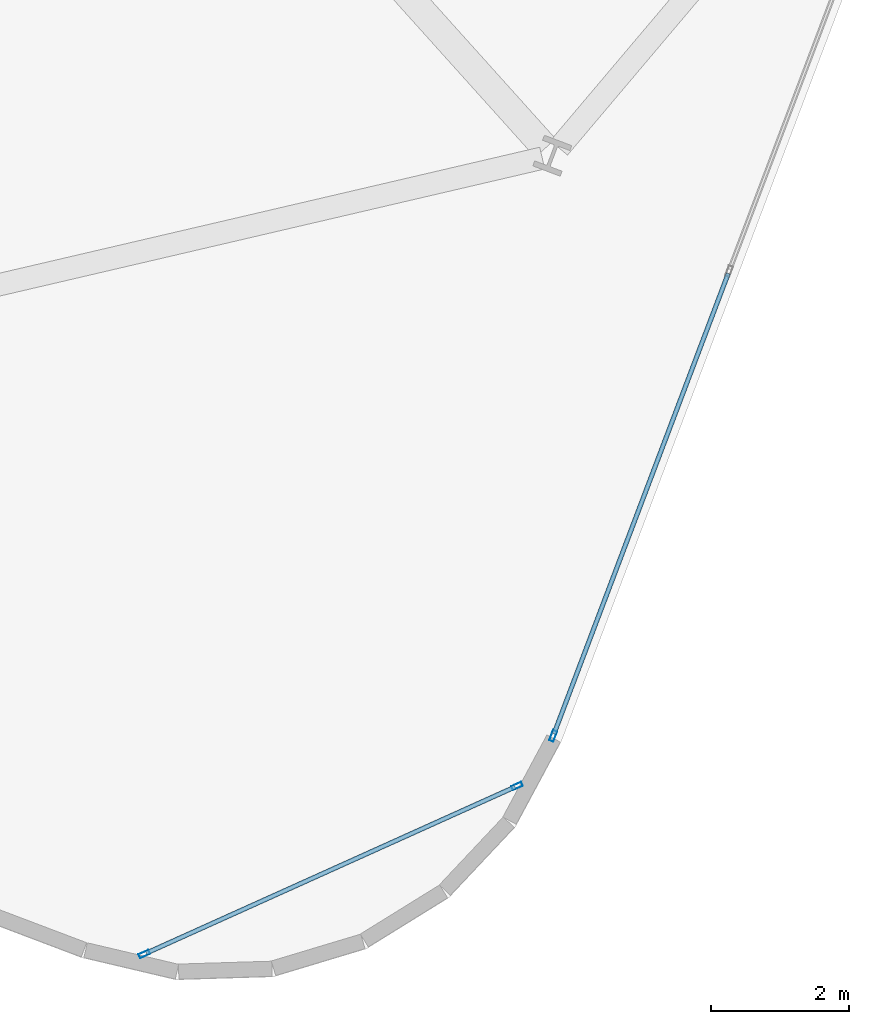
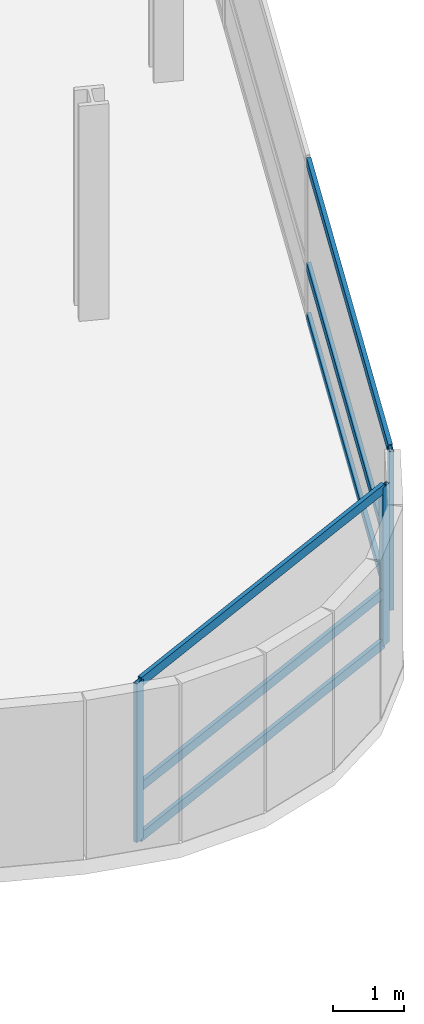
# One storey, part 10 of 25: 9 members, 2 elements without a shape of their own.
"""IFC4 building model written with IfcOpenShell, lengths in metres."""

from ifc_helpers import new_model, si_unit, direction, frame, origin, origin_2d, place, context, subcontext, project, spatial, hollow_rectangle, extrude, material, layer, layer_set, material_profile, profile_set, type_object, element, aggregate, save


model = new_model("IFC4")

# Units and contexts
model_context = context("Model", 3, precision=1e-05, world=origin(), true_north=direction((0.0, 1.0)))
body_context = subcontext(model_context, "Body", "Model", "MODEL_VIEW")
ifc_project = project(units=[si_unit("LENGTHUNIT", "METRE"), si_unit("AREAUNIT", "SQUARE_METRE"), si_unit("VOLUMEUNIT", "CUBIC_METRE"), si_unit("PLANEANGLEUNIT", "RADIAN"), si_unit("MASSUNIT", "GRAM", prefix="KILO")], contexts=[model_context])

# Site, building, storey
site_placement = place(None, origin())
site = spatial("IfcSite", under=ifc_project, at=site_placement, CompositionType="ELEMENT")
building_placement = place(site_placement, origin())
building = spatial("IfcBuilding", under=site, at=building_placement, Name="Varnelok Gate Tower", CompositionType="ELEMENT")
storey_placement = place(building_placement, frame((0.0, 0.0, 105.800048828125)))
storey = spatial("IfcBuildingStorey", under=building, at=storey_placement, Name="L26", CompositionType="ELEMENT", Elevation=105.800048828125)

# Curtain wall, member
ifc_material = material(Name="Anodized Aluminum Alloy 6063-T6", Category="aluminium")
ifc_layer_1 = layer(ifc_material, 0.179931640625)
ifc_layer_set_1 = layer_set([ifc_layer_1], Name="Anodized Aluminum Alloy 6063-T6")
curtain_wall_type_1 = type_object("IfcCurtainWallType", Name="CW3-HOTEL-VISION", PredefinedType="USERDEFINED", material=ifc_layer_set_1)
curtain_wall_1_placement = place(storey_placement, origin())
curtain_wall_1 = element("IfcCurtainWall", 1, at=curtain_wall_1_placement, inside=storey, type_object=curtain_wall_type_1, Name="L26 East End Vision Curtain Wall", ObjectType="UNITISED CURTAIN WALL", PredefinedType="USERDEFINED")
ifc_material_profile_1 = material_profile(ifc_material, hollow_rectangle(XDim=0.06494140625, YDim=0.159912109375, WallThickness=0.00390625, at=origin_2d()), Name="ALU160X65X4")
ifc_profile_set_1 = profile_set([ifc_material_profile_1], Name="Anodized Aluminum Alloy 6063-T6")
member_type_1 = type_object("IfcMemberType", Name="CW-MULL-160", PredefinedType="MULLION", material=ifc_profile_set_1)
member_1_placement = place(storey_placement, frame((67.6494140625, -4.78955078125, 0.0), z_axis=(0.0, 0.0, 1.0), x_axis=(0.935221323688, -0.354063660545, 0.0)))
member_1 = element("IfcMember", 2, at=member_1_placement, type_object=member_type_1, Name="CW3 mullion 6", PredefinedType="MULLION", context=body_context, shape_type="SweptSolid", body=[
    extrude(hollow_rectangle(XDim=0.06494140625, YDim=0.159912109375, WallThickness=0.00390625, at=origin_2d()), origin(), (0.0, 0.0, 1.0), 2.72998046875),
])

# Curtain wall, members
ifc_layer_2 = layer(ifc_material, 0.179931640625)
ifc_layer_set_2 = layer_set([ifc_layer_2], Name="Anodized Aluminum Alloy 6063-T6")
curtain_wall_type_2 = type_object("IfcCurtainWallType", Name="CW5-WINDCORNER-GLAZ", PredefinedType="USERDEFINED", material=ifc_layer_set_2)
curtain_wall_2_placement = place(storey_placement, origin())
curtain_wall_2 = element("IfcCurtainWall", 3, at=curtain_wall_2_placement, inside=storey, type_object=curtain_wall_type_2, Name="L26 Wind-Shaped Corner Curtain Wall SE", ObjectType="STRUCTURAL GLAZING", PredefinedType="USERDEFINED")
member_2_placement = place(storey_placement, frame((61.7177734375, -7.953857421875, 0.0), z_axis=(0.0, 0.0, 1.0), x_axis=(-0.41094361693, 0.911660761306, 0.0)))
member_2 = element("IfcMember", 4, at=member_2_placement, type_object=member_type_1, Name="CW5 mullion 1", PredefinedType="MULLION", context=body_context, shape_type="SweptSolid", body=[
    extrude(hollow_rectangle(XDim=0.06494140625, YDim=0.159912109375, WallThickness=0.00390625, at=origin_2d()), origin(), (0.0, 0.0, 1.0), 2.72998046875),
])
member_3_placement = place(storey_placement, frame((67.125, -5.516357421875, 0.0), z_axis=(0.0, 0.0, 1.0), x_axis=(-0.41094361693, 0.911660761306, 0.0)))
member_3 = element("IfcMember", 5, at=member_3_placement, type_object=member_type_1, Name="CW5 mullion 2", PredefinedType="MULLION", context=body_context, shape_type="SweptSolid", body=[
    extrude(hollow_rectangle(XDim=0.06494140625, YDim=0.159912109375, WallThickness=0.00390625, at=origin_2d()), origin(), (0.0, 0.0, 1.0), 2.72998046875),
])

# Member
ifc_material_profile_2 = material_profile(ifc_material, hollow_rectangle(XDim=0.06494140625, YDim=0.159912109375, WallThickness=0.00390625, at=origin_2d()), Name="ALU160X65X4")
ifc_profile_set_2 = profile_set([ifc_material_profile_2], Name="Anodized Aluminum Alloy 6063-T6")
member_type_2 = type_object("IfcMemberType", Name="CW-TRAN-160", PredefinedType="USERDEFINED", material=ifc_profile_set_2)
member_4_placement = place(storey_placement, frame((70.189697265625, 1.920654296875, 0.032470703125), z_axis=(-0.354058568643, -0.935223251406, 0.0), x_axis=(0.935223251406, -0.354058568643, 0.0)))
member_4 = element("IfcMember", 6, at=member_4_placement, type_object=member_type_2, Name="CW3 transom 5.1", ObjectType="TRANSOM", PredefinedType="USERDEFINED", context=body_context, shape_type="SweptSolid", body=[
    extrude(hollow_rectangle(XDim=0.06494140625, YDim=0.159912109375, WallThickness=0.00390625, at=origin_2d()), origin(), (0.0, 0.0, 1.0), 7.142333984375),
])

member_5_placement = place(storey_placement, frame((70.189697265625, 1.920654296875, 0.89990234375), z_axis=(-0.354058568643, -0.935223251406, 0.0), x_axis=(0.935223251406, -0.354058568643, 0.0)))
member_5 = element("IfcMember", 7, at=member_5_placement, type_object=member_type_2, Name="CW3 transom 5.2", ObjectType="TRANSOM", PredefinedType="USERDEFINED", context=body_context, shape_type="SweptSolid", body=[
    extrude(hollow_rectangle(XDim=0.06494140625, YDim=0.159912109375, WallThickness=0.00390625, at=origin_2d()), origin(), (0.0, 0.0, 1.0), 7.142333984375),
])

member_6_placement = place(storey_placement, frame((70.189697265625, 1.920654296875, 2.697509765625), z_axis=(-0.354058568643, -0.935223251406, 0.0), x_axis=(0.935223251406, -0.354058568643, 0.0)))
member_6 = element("IfcMember", 8, at=member_6_placement, type_object=member_type_2, Name="CW3 transom 5.3", ObjectType="TRANSOM", PredefinedType="USERDEFINED", context=body_context, shape_type="SweptSolid", body=[
    extrude(hollow_rectangle(XDim=0.06494140625, YDim=0.159912109375, WallThickness=0.00390625, at=origin_2d()), origin(), (0.0, 0.0, 1.0), 7.142333984375),
])

aggregate(curtain_wall_1, [member_1, member_4, member_5, member_6])

member_7_placement = place(storey_placement, frame((61.747314453125, -7.9404296875, 0.032470703125), z_axis=(0.911667474116, 0.410928724524, 0.0), x_axis=(-0.410928724524, 0.911667474116, 0.0)))
member_7 = element("IfcMember", 9, at=member_7_placement, type_object=member_type_2, Name="CW5 transom 1.1", ObjectType="TRANSOM", PredefinedType="USERDEFINED", context=body_context, shape_type="SweptSolid", body=[
    extrude(hollow_rectangle(XDim=0.06494140625, YDim=0.159912109375, WallThickness=0.00390625, at=origin_2d()), origin(), (0.0, 0.0, 1.0), 5.8662109375),
])

member_8_placement = place(storey_placement, frame((61.747314453125, -7.9404296875, 0.89990234375), z_axis=(0.911667474116, 0.410928724524, 0.0), x_axis=(-0.410928724524, 0.911667474116, 0.0)))
member_8 = element("IfcMember", 10, at=member_8_placement, type_object=member_type_2, Name="CW5 transom 1.2", ObjectType="TRANSOM", PredefinedType="USERDEFINED", context=body_context, shape_type="SweptSolid", body=[
    extrude(hollow_rectangle(XDim=0.06494140625, YDim=0.159912109375, WallThickness=0.00390625, at=origin_2d()), origin(), (0.0, 0.0, 1.0), 5.8662109375),
])

member_9_placement = place(storey_placement, frame((61.747314453125, -7.9404296875, 2.697509765625), z_axis=(0.911667474116, 0.410928724524, 0.0), x_axis=(-0.410928724524, 0.911667474116, 0.0)))
member_9 = element("IfcMember", 11, at=member_9_placement, type_object=member_type_2, Name="CW5 transom 1.3", ObjectType="TRANSOM", PredefinedType="USERDEFINED", context=body_context, shape_type="SweptSolid", body=[
    extrude(hollow_rectangle(XDim=0.06494140625, YDim=0.159912109375, WallThickness=0.00390625, at=origin_2d()), origin(), (0.0, 0.0, 1.0), 5.8662109375),
])

aggregate(curtain_wall_2, [member_2, member_3, member_7, member_8, member_9])

save(model, "model.ifc")
